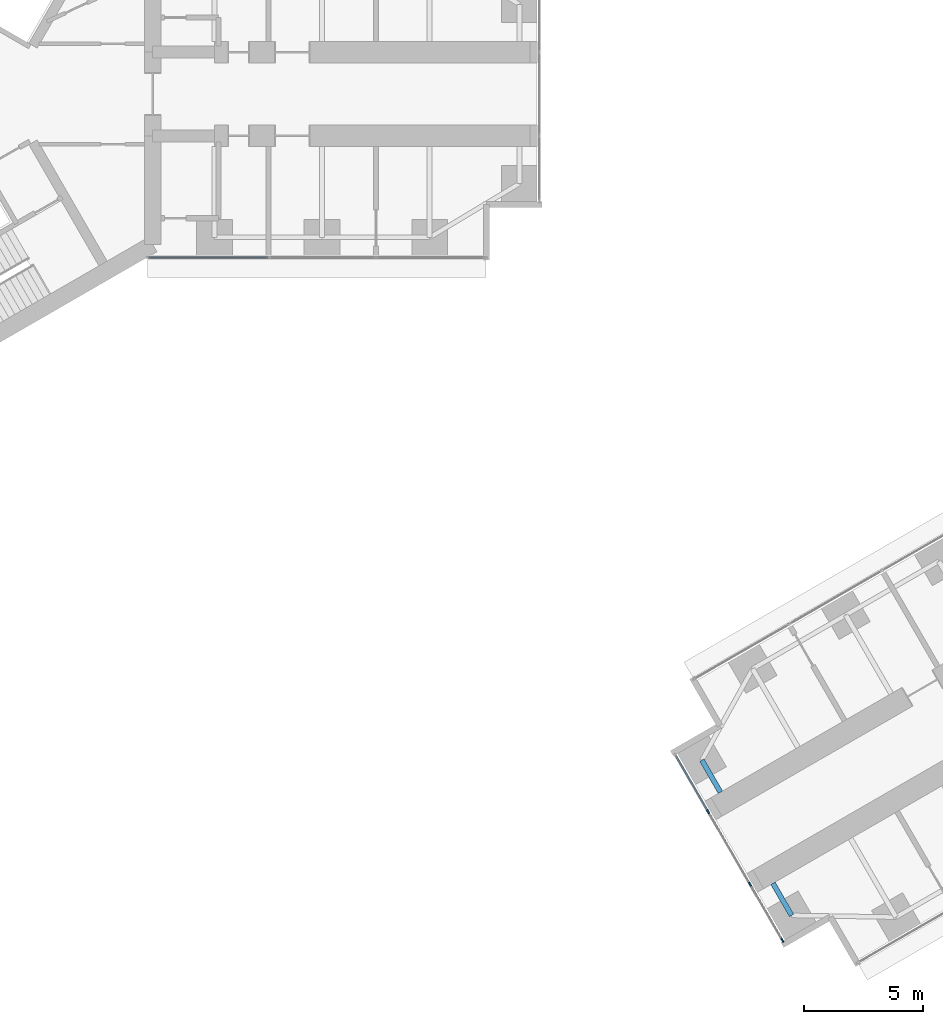
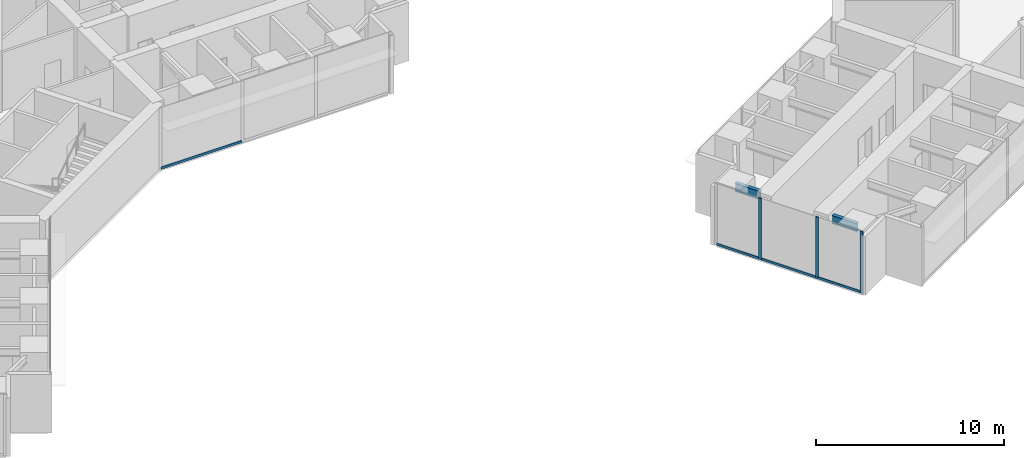
# One storey, part 3 of 22: 7 members, 2 beams, 2 elements without a shape of their own.
"""IFC4 building model written with IfcOpenShell, lengths in metres."""

import ifcopenshell
import ifcopenshell.guid

model = None  # the IFC model being written
_history = None  # IfcOwnerHistory: only IFC2X3 demands one
_inside = {}  # id of a spatial element -> (the spatial element, [elements in it])
_under = {}  # id of a project, library or spatial element -> (it, [spatial elements below it])
_declared = {}  # id of a project -> (the project, [libraries it declares])
_typed = {}  # id of a type object -> (the type object, [elements of that type])
_made_of = {}  # id of a material, layer set ... -> (it, [elements and type objects made of it])


def new_model(schema):
    """Start an empty IFC model of exactly this schema.

    Asked for "IFC4X3", IfcOpenShell would pick the latest addendum, in which some entities
    have other attributes; the version numbers below select the first issue.
    IFC2X3 requires an IfcOwnerHistory on every rooted entity: one is made here for all.
    """
    global model, _history
    if schema == "IFC4X3":
        model = ifcopenshell.file(schema_version=(4, 3, 0, 0))
    else:
        model = ifcopenshell.file(schema=schema)
    _inside.clear()
    _under.clear()
    _declared.clear()
    _typed.clear()
    _made_of.clear()
    _history = None
    if model.schema == "IFC2X3":
        org = make("IfcOrganization", Name="unknown")
        user = make(
            "IfcPersonAndOrganization",
            ThePerson=make("IfcPerson", FamilyName="unknown"),
            TheOrganization=org,
        )
        app = make(
            "IfcApplication",
            ApplicationDeveloper=org,
            Version="unknown",
            ApplicationFullName="unknown",
            ApplicationIdentifier="unknown",
        )
        _history = make(
            "IfcOwnerHistory",
            OwningUser=user,
            OwningApplication=app,
            ChangeAction="ADDED",
            CreationDate=0,
        )
    return model


def make(cls, **values):
    """One entity of the class cls with the attributes given. An attribute that is None is left unset."""
    return model.create_entity(
        cls, **{name: value for name, value in values.items() if value is not None}
    )


def rooted(cls, **values):
    """An entity with a GlobalId (a new one), such as an element, a storey or a relation."""
    return make(cls, GlobalId=ifcopenshell.guid.new(), OwnerHistory=_history, **values)


def si_unit(unit_type, name, prefix=None):
    """IfcSIUnit, for example si_unit("LENGTHUNIT", "METRE", prefix="MILLI")."""
    return make("IfcSIUnit", UnitType=unit_type, Prefix=prefix, Name=name)


def assignment(units):
    """IfcUnitAssignment: the units of a project."""
    return None if units is None else make("IfcUnitAssignment", Units=units)


def point(xyz):
    """IfcCartesianPoint."""
    return None if xyz is None else make("IfcCartesianPoint", Coordinates=xyz)


def direction(xyz):
    """IfcDirection."""
    return None if xyz is None else make("IfcDirection", DirectionRatios=xyz)


def frame(location, z_axis=None, x_axis=None):
    """IfcAxis2Placement3D, a coordinate frame: its origin and axes. An axis left out is left unset."""
    return make(
        "IfcAxis2Placement3D",
        Location=point(location),
        Axis=direction(z_axis),
        RefDirection=direction(x_axis),
    )


def frame_2d(location, x_axis=None):
    """IfcAxis2Placement2D, a coordinate frame in the plane: its origin and x axis."""
    return make(
        "IfcAxis2Placement2D", Location=point(location), RefDirection=direction(x_axis)
    )


def origin():
    """The frame at (0, 0, 0) with its axes left unset."""
    return frame((0.0, 0.0, 0.0))


def origin_2d():
    """The frame at (0, 0) in the plane with its x axis left unset."""
    return frame_2d((0.0, 0.0))


def place(relative_to, where):
    """IfcLocalPlacement: puts the frame where relative to a parent placement (None: the world)."""
    return make(
        "IfcLocalPlacement", PlacementRelTo=relative_to, RelativePlacement=where
    )


def context(
    kind, dimensions, precision=None, world=None, true_north=None, identifier=None
):
    """IfcGeometricRepresentationContext, for example the 3D "Model" context."""
    return make(
        "IfcGeometricRepresentationContext",
        ContextIdentifier=identifier,
        ContextType=kind,
        CoordinateSpaceDimension=dimensions,
        Precision=precision,
        WorldCoordinateSystem=world,
        TrueNorth=true_north,
    )


def subcontext(parent, identifier, kind, view, scale=None):
    """IfcGeometricRepresentationSubContext, for example "Body" below "Model"."""
    return make(
        "IfcGeometricRepresentationSubContext",
        ContextIdentifier=identifier,
        ContextType=kind,
        ParentContext=parent,
        TargetScale=scale,
        TargetView=view,
    )


def project(units=None, contexts=None):
    """IfcProject with its units and contexts."""
    return rooted(
        "IfcProject",
        Name="project",
        RepresentationContexts=contexts,
        UnitsInContext=assignment(units),
    )


def spatial(cls, under=None, at=None, **own):
    """A site, building, storey or space (cls), placed at a placement, below another one or the project."""
    s = rooted(cls, ObjectPlacement=at, **own)
    if under is not None:
        _under.setdefault(under.id(), (under, []))[1].append(s)
    return s


def profile(cls, at=None, kind="AREA", **sizes):
    """A parametric profile (cls). Its sizes go by their IFC names, for example OverallWidth=200.0."""
    return make(cls, ProfileType=kind, Position=at, **sizes)


def rectangle(**sizes):
    """IfcRectangleProfileDef."""
    return profile("IfcRectangleProfileDef", **sizes)


def i_section(**sizes):
    """IfcIShapeProfileDef."""
    return profile("IfcIShapeProfileDef", **sizes)


def extrude(swept, where, along, depth):
    """IfcExtrudedAreaSolid: the profile swept, set in the frame where, extruded along a direction by depth."""
    return make(
        "IfcExtrudedAreaSolid",
        SweptArea=swept,
        Position=where,
        ExtrudedDirection=direction(along),
        Depth=depth,
    )


def shape(context_of_items, identifier, shape_type, items):
    """IfcShapeRepresentation: the items that make up one representation, for example the "Body"."""
    return make(
        "IfcShapeRepresentation",
        ContextOfItems=context_of_items,
        RepresentationIdentifier=identifier,
        RepresentationType=shape_type,
        Items=items,
    )


def material(Name=None, Category=None):
    """IfcMaterial."""
    return make("IfcMaterial", Name=Name, Category=Category)


def material_profile(
    of_material, cross_section, Name=None, Category=None, Priority=None
):
    """IfcMaterialProfile: a cross section and its material."""
    return make(
        "IfcMaterialProfile",
        Name=Name,
        Material=of_material,
        Profile=cross_section,
        Priority=Priority,
        Category=Category,
    )


def profile_set(profiles, Name=None, composite=None):
    """IfcMaterialProfileSet."""
    return make(
        "IfcMaterialProfileSet",
        Name=Name,
        MaterialProfiles=profiles,
        CompositeProfile=composite,
    )


def made_of(thing, what):
    """Note that an element or type object is made of a material, layer set ...; save() writes the relation."""
    if what is not None:
        _made_of.setdefault(what.id(), (what, []))[1].append(thing)
    return thing


def type_object(cls, material=None, **own):
    """A type object (cls), such as IfcWallType, which elements share."""
    return made_of(rooted(cls, **own), material)


def element(
    cls,
    number,
    at=None,
    inside=None,
    cuts=None,
    type_object=None,
    material=None,
    context=None,
    identifier="Body",
    shape_type=None,
    held_by="IfcProductDefinitionShape",
    body=None,
    shapes=None,
    **own,
):
    """One element of the class cls, such as IfcWall. Its Tag is "e" and its number.

    at: its placement. inside: the storey or other place that contains it. cuts: it is an
    opening in that element (IfcRelVoidsElement). A single representation is given by context,
    identifier, shape_type and body (its items); several are given by shapes. held_by: the class
    of the entity that holds the representations. save() writes the other relations.
    """
    e = rooted(cls, Tag="e%d" % number, ObjectPlacement=at, **own)
    if body is not None:
        shapes = [shape(context, identifier, shape_type, body)]
    if shapes is not None:
        e.Representation = make(held_by, Representations=shapes)
    if inside is not None:
        _inside.setdefault(inside.id(), (inside, []))[1].append(e)
    if cuts is not None:
        rooted(
            "IfcRelVoidsElement", RelatingBuildingElement=cuts, RelatedOpeningElement=e
        )
    if type_object is not None:
        _typed.setdefault(type_object.id(), (type_object, []))[1].append(e)
    return made_of(e, material)


def aggregate(whole, parts):
    """IfcRelAggregates: a whole, such as a stair, and the parts it consists of."""
    return rooted("IfcRelAggregates", RelatingObject=whole, RelatedObjects=parts)


def save(model, path):
    """Write the relations noted so far, then the file.

    IfcRelAggregates (storeys below a building ...), IfcRelContainedInSpatialStructure (elements
    in a storey), IfcRelDefinesByType, IfcRelAssociatesMaterial and IfcRelDeclares: one each for
    every whole, place, type object, material and project.
    """
    for whole, parts in _under.values():
        aggregate(whole, parts)
    for where, things in _inside.values():
        rooted(
            "IfcRelContainedInSpatialStructure",
            RelatedElements=things,
            RelatingStructure=where,
        )
    for kind, things in _typed.values():
        rooted("IfcRelDefinesByType", RelatedObjects=things, RelatingType=kind)
    for what, things in _made_of.values():
        rooted("IfcRelAssociatesMaterial", RelatedObjects=things, RelatingMaterial=what)
    for by, libraries in _declared.values():
        rooted("IfcRelDeclares", RelatingContext=by, RelatedDefinitions=libraries)
    model.write(path)


model = new_model("IFC4")

# Units and contexts
model_context = context("Model", 3, precision=1e-05, world=origin(), true_north=direction((0.0, 1.0)))
body_context = subcontext(model_context, "Body", "Model", "MODEL_VIEW")
ifc_project = project(units=[si_unit("LENGTHUNIT", "METRE"), si_unit("AREAUNIT", "SQUARE_METRE"), si_unit("VOLUMEUNIT", "CUBIC_METRE"), si_unit("PLANEANGLEUNIT", "RADIAN"), si_unit("MASSUNIT", "GRAM", prefix="KILO")], contexts=[model_context])

# Site, building, storey
site_placement = place(None, origin())
site = spatial("IfcSite", under=ifc_project, at=site_placement, CompositionType="ELEMENT")
building_placement = place(site_placement, origin())
building = spatial("IfcBuilding", under=site, at=building_placement, Name="Upepo Twin Towers", CompositionType="ELEMENT")
storey_placement = place(building_placement, frame((0.0, 0.0, 44.5)))
storey = spatial("IfcBuildingStorey", under=building, at=storey_placement, Name="L10", CompositionType="ELEMENT", Elevation=44.5)

# Beams
ifc_material_1 = material(Name="Steel S355", Category="steel")
ifc_material_profile_1 = material_profile(ifc_material_1, i_section(OverallWidth=0.2099609375, OverallDepth=0.53662109375, WebThickness=0.0107421875, FlangeThickness=0.017333984375, FilletRadius=0.0126953125, at=origin_2d()), Name="UB 533x210x101")
ifc_profile_set_1 = profile_set([ifc_material_profile_1], Name="Steel S355")
beam_type = type_object("IfcBeamType", Name="Beam UB 533x210x101", PredefinedType="BEAM", material=ifc_profile_set_1)
for number, where, z_axis, x_axis, name in (
    (1, (37.641845703125, -34.37255859375, 3.53173828125), (-0.499967891604, 0.866043940782, 0.0), (-0.866043940782, -0.499967891604, 0.0), "T2 nose beam BL"),
    (2, (33.891845703125, -27.87744140625, 3.53173828125), (0.499967891604, -0.866043940782, 0.0), (0.866043940782, 0.499967891604, 0.0), "T2 nose beam BR"),
):
    element("IfcBeam", number, at=place(storey_placement, frame(where, z_axis=z_axis, x_axis=x_axis)), inside=storey, type_object=beam_type, Name=name, PredefinedType="BEAM", context=body_context, shape_type="SweptSolid", body=[
        extrude(i_section(OverallWidth=0.2099609375, OverallDepth=0.53662109375, WebThickness=0.0107421875, FlangeThickness=0.017333984375, FilletRadius=0.0126953125, at=origin_2d()), origin(), (0.0, 0.0, 1.0), 1.5498046875),
    ])

# Curtain wall, members
ifc_material_2 = material(Name="Aluminium and fritted glass", Category="aluminium")
curtain_wall_type = type_object("IfcCurtainWallType", Name="Tower curtain wall TW1, fritted glass", PredefinedType="NOTDEFINED", material=ifc_material_2)
curtain_wall_1_placement = place(storey_placement, origin())
curtain_wall_1 = element("IfcCurtainWall", 3, at=curtain_wall_1_placement, inside=storey, type_object=curtain_wall_type, Name="T2 L10 wing B nose curtain wall", PredefinedType="NOTDEFINED")
ifc_material_3 = material(Name="Aluminium mullion", Category="aluminium")
ifc_material_profile_2 = material_profile(ifc_material_3, rectangle(XDim=0.06494140625, YDim=0.179931640625, at=origin_2d()), Name="MULLION 65x180")
ifc_profile_set_2 = profile_set([ifc_material_profile_2], Name="Aluminium mullion")
member_type_1 = type_object("IfcMemberType", Name="Mullion 65x180 TW1", PredefinedType="MULLION", material=ifc_profile_set_2)
member_1_placement = place(storey_placement, frame((34.15576171875, -30.034423828125, 0.0), z_axis=(0.0, 0.0, 1.0), x_axis=(0.866025386174, 0.500000030502, 0.0)))
member_1 = element("IfcMember", 4, at=member_1_placement, type_object=member_type_1, Name="T2 L10 wing B nose curtain wall mullion 2", PredefinedType="MULLION", context=body_context, shape_type="SweptSolid", body=[
    extrude(rectangle(XDim=0.06494140625, YDim=0.179931640625, at=origin_2d()), origin(), (0.0, 0.0, 1.0), 4.0),
])
member_2_placement = place(storey_placement, frame((35.90576171875, -33.0654296875, 0.0), z_axis=(0.0, 0.0, 1.0), x_axis=(0.866025386174, 0.500000030502, 0.0)))
member_2 = element("IfcMember", 5, at=member_2_placement, type_object=member_type_1, Name="T2 L10 wing B nose curtain wall mullion 3", PredefinedType="MULLION", context=body_context, shape_type="SweptSolid", body=[
    extrude(rectangle(XDim=0.06494140625, YDim=0.179931640625, at=origin_2d()), origin(), (0.0, 0.0, 1.0), 4.0),
])
member_3_placement = place(storey_placement, frame((37.264404296875, -35.4189453125, 0.0), z_axis=(0.0, 0.0, 1.0), x_axis=(0.866025386174, 0.500000030502, 0.0)))
member_3 = element("IfcMember", 6, at=member_3_placement, type_object=member_type_1, Name="T2 L10 wing B nose curtain wall mullion 4", PredefinedType="MULLION", context=body_context, shape_type="SweptSolid", body=[
    extrude(rectangle(XDim=0.06494140625, YDim=0.179931640625, at=origin_2d()), origin(), (0.0, 0.0, 1.0), 4.0),
])

# Curtain wall, member
curtain_wall_2_placement = place(storey_placement, origin())
curtain_wall_2 = element("IfcCurtainWall", 7, at=curtain_wall_2_placement, inside=storey, type_object=curtain_wall_type, Name="T1 L10 wing A flank R curtain wall", PredefinedType="NOTDEFINED")
ifc_material_4 = material(Name="Aluminium transom", Category="aluminium")
ifc_material_profile_3 = material_profile(ifc_material_4, rectangle(XDim=0.06494140625, YDim=0.14990234375, at=origin_2d()), Name="TRANSOM 65x150")
ifc_profile_set_3 = profile_set([ifc_material_profile_3], Name="Aluminium transom")
member_type_2 = type_object("IfcMemberType", Name="Transom 65x150 TW1", PredefinedType="USERDEFINED", material=ifc_profile_set_3)
member_4_placement = place(storey_placement, frame((15.717529296875, -6.85009765625, 0.074951171875), z_axis=(-1.0, 0.0, 0.0), x_axis=(0.0, -1.0, 0.0)))
member_4 = element("IfcMember", 8, at=member_4_placement, type_object=member_type_2, Name="T1 L10 wing A flank R curtain wall transom 3", ObjectType="TRANSOM", PredefinedType="USERDEFINED", context=body_context, shape_type="SweptSolid", body=[
    extrude(rectangle(XDim=0.06494140625, YDim=0.14990234375, at=origin_2d()), origin(), (0.0, 0.0, 1.0), 4.96533203125),
])
aggregate(curtain_wall_2, [member_4])

# Member
member_5_placement = place(storey_placement, frame((32.813232421875, -27.709228515625, 0.074951171875), z_axis=(0.499980071345, -0.866036909293, 0.0), x_axis=(0.866036909293, 0.499980071345, 0.0)))
member_5 = element("IfcMember", 9, at=member_5_placement, type_object=member_type_2, Name="T2 L10 wing B nose curtain wall transom 1", ObjectType="TRANSOM", PredefinedType="USERDEFINED", context=body_context, shape_type="SweptSolid", body=[
    extrude(rectangle(XDim=0.06494140625, YDim=0.14990234375, at=origin_2d()), origin(), (0.0, 0.0, 1.0), 2.65234375),
])

member_6_placement = place(storey_placement, frame((34.171875, -30.0625, 0.074951171875), z_axis=(0.499999305434, -0.866025804792, 0.0), x_axis=(0.866025804792, 0.499999305434, 0.0)))
member_6 = element("IfcMember", 10, at=member_6_placement, type_object=member_type_2, Name="T2 L10 wing B nose curtain wall transom 2", ObjectType="TRANSOM", PredefinedType="USERDEFINED", context=body_context, shape_type="SweptSolid", body=[
    extrude(rectangle(XDim=0.06494140625, YDim=0.14990234375, at=origin_2d()), origin(), (0.0, 0.0, 1.0), 3.43505859375),
])

member_7_placement = place(storey_placement, frame((35.921875, -33.09375, 0.074951171875), z_axis=(0.500049101008, -0.865997053448, 0.0), x_axis=(0.865997053448, 0.500049101008, 0.0)))
member_7 = element("IfcMember", 11, at=member_7_placement, type_object=member_type_2, Name="T2 L10 wing B nose curtain wall transom 3", ObjectType="TRANSOM", PredefinedType="USERDEFINED", context=body_context, shape_type="SweptSolid", body=[
    extrude(rectangle(XDim=0.06494140625, YDim=0.14990234375, at=origin_2d()), origin(), (0.0, 0.0, 1.0), 2.652587890625),
])

aggregate(curtain_wall_1, [member_1, member_2, member_3, member_5, member_6, member_7])

save(model, "model.ifc")
